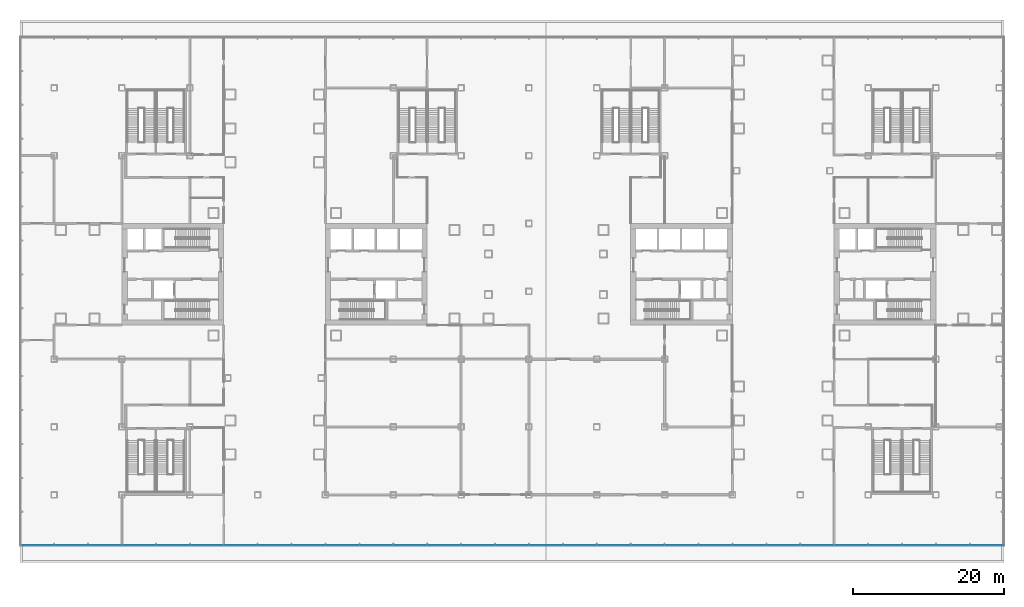
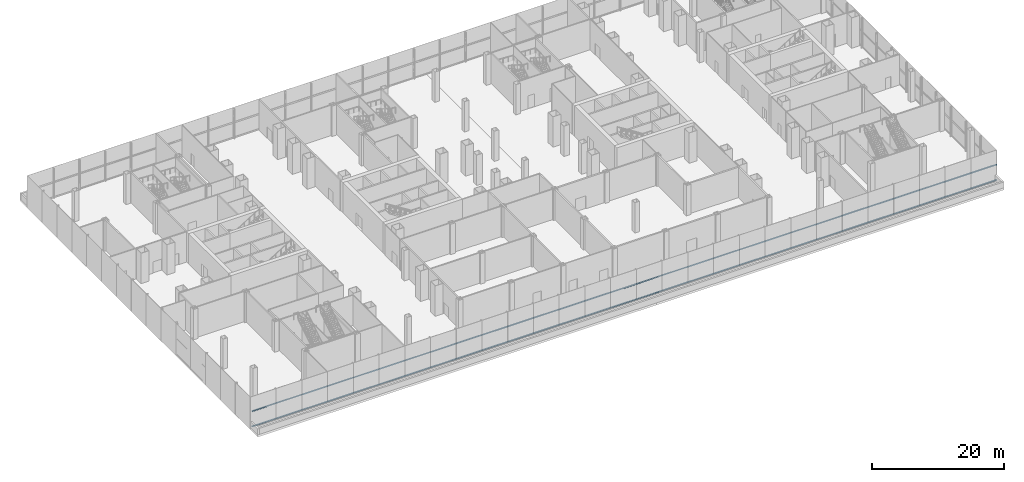
# One storey, part 8 of 38: 2 members, 1 element without a shape of its own.
"""IFC4 building model written with IfcOpenShell, lengths in metres."""

from ifc_helpers import new_model, si_unit, direction, frame, origin, origin_2d, place, context, subcontext, project, spatial, rectangle, extrude, material, layer, layer_set, material_profile, profile_set, type_object, element, aggregate, save


model = new_model("IFC4")

# Units and contexts
model_context = context("Model", 3, precision=1e-05, world=origin(), true_north=direction((0.0, 1.0)))
body_context = subcontext(model_context, "Body", "Model", "MODEL_VIEW")
ifc_project = project(units=[si_unit("LENGTHUNIT", "METRE"), si_unit("AREAUNIT", "SQUARE_METRE"), si_unit("VOLUMEUNIT", "CUBIC_METRE"), si_unit("PLANEANGLEUNIT", "RADIAN"), si_unit("MASSUNIT", "GRAM", prefix="KILO")], contexts=[model_context])

# Site, building, storey
site_placement = place(None, origin())
site = spatial("IfcSite", under=ifc_project, at=site_placement, CompositionType="ELEMENT")
building_placement = place(site_placement, origin())
building = spatial("IfcBuilding", under=site, at=building_placement, Name="Shamsa Quay Exchange Towers", CompositionType="ELEMENT")
storey_placement = place(building_placement, frame((0.0, 0.0, 12.5)))
storey = spatial("IfcBuildingStorey", under=building, at=storey_placement, Name="L02", CompositionType="ELEMENT", Elevation=12.5)

# Curtain wall, members
ifc_material = material(Name="Aluminium EN AW-6063 T6, black anodised", Category="aluminium")
ifc_layer = layer(ifc_material, 0.33203125)
ifc_layer_set = layer_set([ifc_layer], Name="CW-3 PODIUM SHOPFRONT GLAZING")
curtain_wall_type = type_object("IfcCurtainWallType", Name="CW-3 PODIUM SHOPFRONT GLAZING", PredefinedType="NOTDEFINED", material=ifc_layer_set)
curtain_wall_placement = place(storey_placement, origin())
curtain_wall = element("IfcCurtainWall", 1, at=curtain_wall_placement, inside=storey, type_object=curtain_wall_type, Name="CW3 PODIUM-L02-F03", PredefinedType="NOTDEFINED")
ifc_material_profile = material_profile(ifc_material, rectangle(XDim=0.080078125, YDim=0.159912109375, at=origin_2d()), Name="TR160x80")
ifc_profile_set = profile_set([ifc_material_profile], Name="Aluminium EN AW-6063 T6, black anodised")
member_type = type_object("IfcMemberType", Name="CW3 TRANSOM 160x80", PredefinedType="USERDEFINED", material=ifc_profile_set)
member_1_placement = place(storey_placement, frame((-67.197998046875, -35.9599609375, 0.080078125), z_axis=(1.0, 0.0, 0.0), x_axis=(0.0, 1.0, 0.0)))
member_1 = element("IfcMember", 2, at=member_1_placement, type_object=member_type, Name="CW3 transom", ObjectType="TRANSOM", PredefinedType="USERDEFINED", context=body_context, shape_type="SweptSolid", body=[
    extrude(rectangle(XDim=0.080078125, YDim=0.159912109375, at=origin_2d()), origin(), (0.0, 0.0, 1.0), 130.197998046875),
])
member_2_placement = place(storey_placement, frame((-67.197998046875, -35.9599609375, 2.905029296875), z_axis=(1.0, 0.0, 0.0), x_axis=(0.0, 1.0, 0.0)))
member_2 = element("IfcMember", 3, at=member_2_placement, type_object=member_type, Name="CW3 transom", ObjectType="TRANSOM", PredefinedType="USERDEFINED", context=body_context, shape_type="SweptSolid", body=[
    extrude(rectangle(XDim=0.080078125, YDim=0.159912109375, at=origin_2d()), origin(), (0.0, 0.0, 1.0), 130.197998046875),
])
aggregate(curtain_wall, [member_1, member_2])

save(model, "model.ifc")
